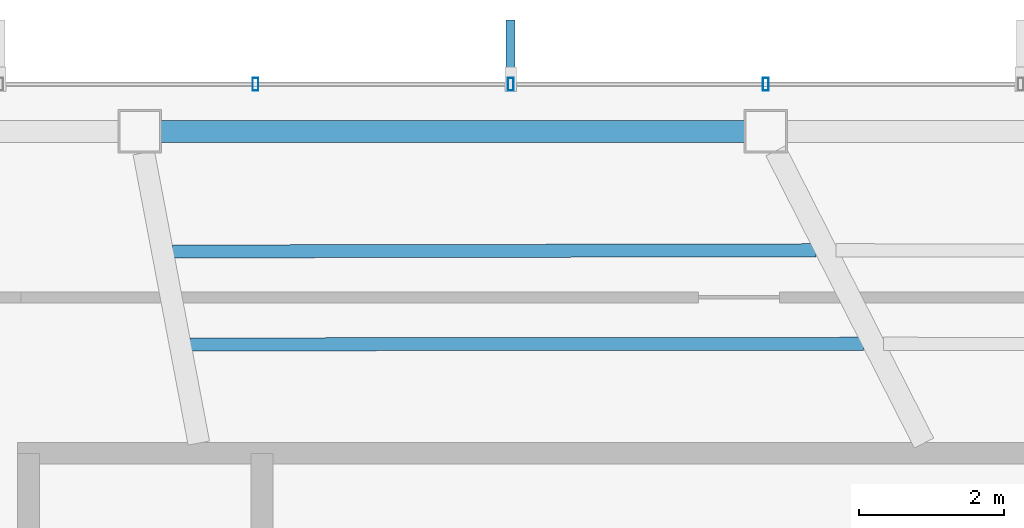
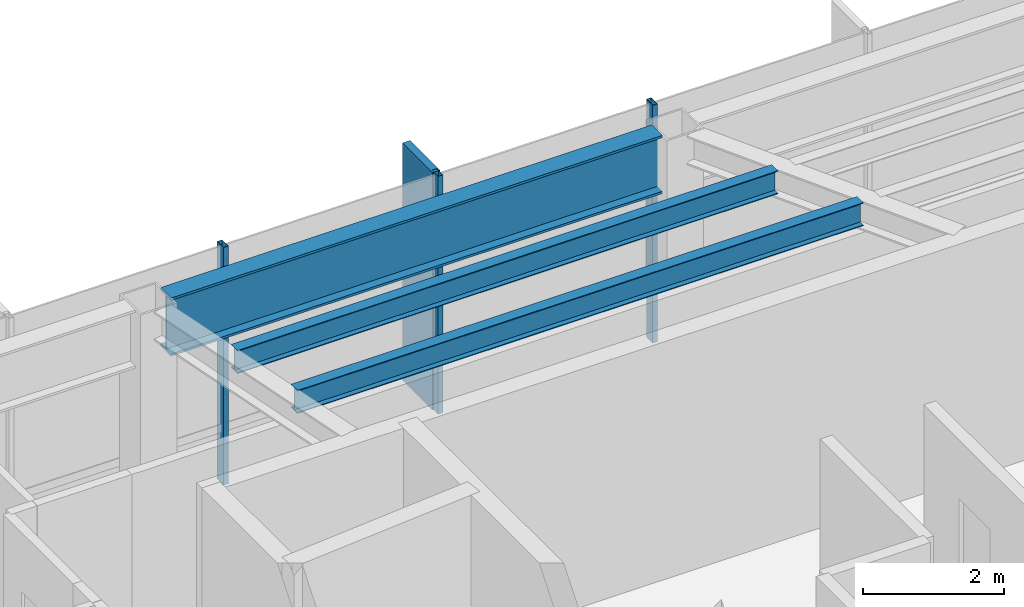
# One storey, part 9 of 23: 4 members, 3 beams, 1 element without a shape of its own.
"""IFC4 building model written with IfcOpenShell, lengths in metres."""

from ifc_helpers import new_model, si_unit, direction, frame, origin, origin_2d, place, context, subcontext, project, spatial, rectangle, hollow_rectangle, i_section, extrude, material, layer, layer_set, material_profile, profile_set, type_object, element, aggregate, save


model = new_model("IFC4")

# Units and contexts
model_context = context("Model", 3, precision=1e-05, world=origin(), true_north=direction((0.0, 1.0)))
body_context = subcontext(model_context, "Body", "Model", "MODEL_VIEW")
ifc_project = project(units=[si_unit("LENGTHUNIT", "METRE"), si_unit("AREAUNIT", "SQUARE_METRE"), si_unit("VOLUMEUNIT", "CUBIC_METRE"), si_unit("PLANEANGLEUNIT", "RADIAN"), si_unit("MASSUNIT", "GRAM", prefix="KILO")], contexts=[model_context])

# Site, building, storey
site_placement = place(None, origin())
site = spatial("IfcSite", under=ifc_project, at=site_placement, CompositionType="ELEMENT")
building_placement = place(site_placement, origin())
building = spatial("IfcBuilding", under=site, at=building_placement, Name="Zarrinselat Tower", CompositionType="ELEMENT")
storey_placement = place(building_placement, frame((0.0, 0.0, 199.919921875)))
storey = spatial("IfcBuildingStorey", under=building, at=storey_placement, Name="L49", CompositionType="ELEMENT", Elevation=199.919921875)

# Beams
ifc_material_1 = material(Name="Steel S460M", Category="steel")
ifc_material_profile_1 = material_profile(ifc_material_1, i_section(OverallWidth=0.302001953125, OverallDepth=1.008056640625, WebThickness=0.02099609375, FlangeThickness=0.0400390625, at=origin_2d()), Name="HEM 1000")
ifc_profile_set_1 = profile_set([ifc_material_profile_1], Name="Steel S460M")
beam_type_1 = type_object("IfcBeamType", Name="BM-HEM1000", PredefinedType="BEAM", material=ifc_profile_set_1)
beam_1_placement = place(storey_placement, frame((30.47265625, 47.839111328125, 3.615966796875), z_axis=(1.0, 0.0, 0.0), x_axis=(0.0, 1.0, 0.0)))
element("IfcBeam", 1, at=beam_1_placement, inside=storey, type_object=beam_type_1, Name="L49 Perimeter Spandrel Girder SP03", PredefinedType="BEAM", context=body_context, shape_type="SweptSolid", body=[
    extrude(i_section(OverallWidth=0.302001953125, OverallDepth=1.008056640625, WebThickness=0.02099609375, FlangeThickness=0.0400390625, at=origin_2d()), origin(), (0.0, 0.0, 1.0), 8.0556640625),
])
ifc_material_2 = material(Name="Steel S355J2", Category="steel")
ifc_material_profile_2 = material_profile(ifc_material_2, i_section(OverallWidth=0.179931640625, OverallDepth=0.39990234375, WebThickness=0.008544921875, FlangeThickness=0.013427734375, at=origin_2d()), Name="IPE 400")
ifc_profile_set_2 = profile_set([ifc_material_profile_2], Name="Steel S355J2")
beam_type_2 = type_object("IfcBeamType", Name="BM-IPE400", PredefinedType="JOIST", material=ifc_profile_set_2)
beam_2_placement = place(storey_placement, frame((30.638916015625, 46.181884765625, 3.920166015625), z_axis=(0.999998090556, 0.001954196423, 0.0), x_axis=(-0.001954196423, 0.999998090556, 0.0)))
element("IfcBeam", 2, at=beam_2_placement, inside=storey, type_object=beam_type_2, Name="L49 Composite Floor Joist 8-1", PredefinedType="JOIST", context=body_context, shape_type="SweptSolid", body=[
    extrude(i_section(OverallWidth=0.179931640625, OverallDepth=0.39990234375, WebThickness=0.008544921875, FlangeThickness=0.013427734375, at=origin_2d()), origin(), (0.0, 0.0, 1.0), 8.8701171875),
])
beam_3_placement = place(storey_placement, frame((30.8818359375, 44.90087890625, 3.920166015625), z_axis=(0.999999526468, 0.000973171554, 0.0), x_axis=(-0.000973171554, 0.999999526468, 0.0)))
element("IfcBeam", 3, at=beam_3_placement, inside=storey, type_object=beam_type_2, Name="L49 Composite Floor Joist 8-2", PredefinedType="JOIST", context=body_context, shape_type="SweptSolid", body=[
    extrude(i_section(OverallWidth=0.179931640625, OverallDepth=0.39990234375, WebThickness=0.008544921875, FlangeThickness=0.013427734375, at=origin_2d()), origin(), (0.0, 0.0, 1.0), 9.2822265625),
])

# Curtain wall, members
ifc_material_3 = material(Name="Extruded Aluminium Alloy EN AW-6063 T6", Category="aluminium")
ifc_layer = layer(ifc_material_3, 0.195068359375)
ifc_layer_set = layer_set([ifc_layer], Name="Extruded Aluminium Alloy EN AW-6063 T6")
curtain_wall_type = type_object("IfcCurtainWallType", Name="CWS-GDN", PredefinedType="NOTDEFINED", material=ifc_layer_set)
curtain_wall_placement = place(storey_placement, origin())
curtain_wall = element("IfcCurtainWall", 4, at=curtain_wall_placement, inside=storey, type_object=curtain_wall_type, Name="L49 Unitised Curtain Wall CW-L49-E02", PredefinedType="NOTDEFINED")
ifc_material_4 = material(Name="Extruded Aluminium Alloy EN AW-6063 T6", Category="aluminium")
ifc_material_profile_3 = material_profile(ifc_material_4, hollow_rectangle(XDim=0.080078125, YDim=0.179931640625, WallThickness=0.0048828125, at=origin_2d()), Name="RHS 180x80x5")
ifc_profile_set_3 = profile_set([ifc_material_profile_3], Name="Extruded Aluminium Alloy EN AW-6063 T6")
member_type_1 = type_object("IfcMemberType", Name="MEM-CW-MUL", PredefinedType="MULLION", material=ifc_profile_set_3)
member_1_placement = place(storey_placement, frame((31.78173828125, 48.489013671875, 0.0), z_axis=(0.0, 0.0, 1.0), x_axis=(1.0, 0.0, 0.0)))
member_1 = element("IfcMember", 5, at=member_1_placement, type_object=member_type_1, Name="CW-L49-E02 Mullion 4", PredefinedType="MULLION", context=body_context, shape_type="SweptSolid", body=[
    extrude(hollow_rectangle(XDim=0.080078125, YDim=0.179931640625, WallThickness=0.0048828125, at=origin_2d()), origin(), (0.0, 0.0, 1.0), 4.1201171875),
])
member_2_placement = place(storey_placement, frame((35.299072265625, 48.489013671875, 0.0), z_axis=(0.0, 0.0, 1.0), x_axis=(1.0, 0.0, 0.0)))
member_2 = element("IfcMember", 6, at=member_2_placement, type_object=member_type_1, Name="CW-L49-E02 Mullion 5", PredefinedType="MULLION", context=body_context, shape_type="SweptSolid", body=[
    extrude(hollow_rectangle(XDim=0.080078125, YDim=0.179931640625, WallThickness=0.0048828125, at=origin_2d()), origin(), (0.0, 0.0, 1.0), 4.1201171875),
])
member_3_placement = place(storey_placement, frame((38.816162109375, 48.489013671875, 0.0), z_axis=(0.0, 0.0, 1.0), x_axis=(1.0, 0.0, 0.0)))
member_3 = element("IfcMember", 7, at=member_3_placement, type_object=member_type_1, Name="CW-L49-E02 Mullion 6", PredefinedType="MULLION", context=body_context, shape_type="SweptSolid", body=[
    extrude(hollow_rectangle(XDim=0.080078125, YDim=0.179931640625, WallThickness=0.0048828125, at=origin_2d()), origin(), (0.0, 0.0, 1.0), 4.1201171875),
])
ifc_material_5 = material(Name="Honed Cream Travertine Stone", Category="masonry")
ifc_material_profile_4 = material_profile(ifc_material_5, rectangle(XDim=0.1201171875, YDim=0.85009765625, at=origin_2d()), Name="FIN 850x120")
ifc_profile_set_4 = profile_set([ifc_material_profile_4], Name="Honed Cream Travertine Stone")
member_type_2 = type_object("IfcMemberType", Name="MEM-STONE-FIN", PredefinedType="USERDEFINED", material=ifc_profile_set_4)
member_4_placement = place(storey_placement, frame((35.299072265625, 48.948974609375, 0.0), z_axis=(0.0, 0.0, 1.0), x_axis=(1.0, 0.0, 0.0)))
member_4 = element("IfcMember", 8, at=member_4_placement, type_object=member_type_2, Name="L49 Stone Shading Fin CW-L49-E02-05", ObjectType="FIN", PredefinedType="USERDEFINED", context=body_context, shape_type="SweptSolid", body=[
    extrude(rectangle(XDim=0.1201171875, YDim=0.85009765625, at=origin_2d()), origin(), (0.0, 0.0, 1.0), 4.1201171875),
])
aggregate(curtain_wall, [member_1, member_2, member_4, member_3])

save(model, "model.ifc")
